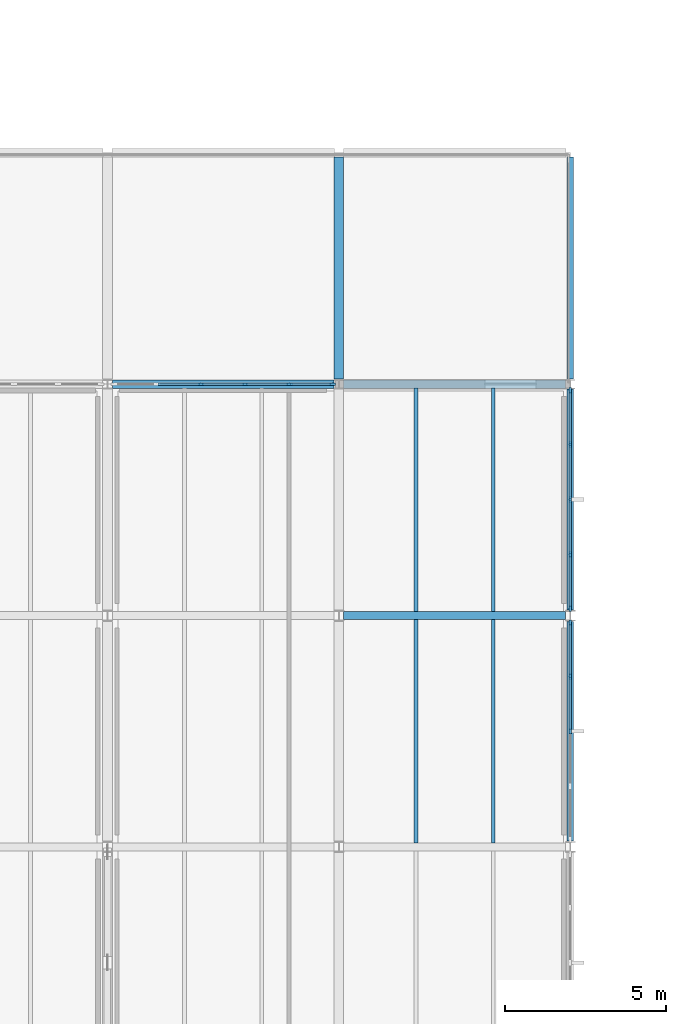
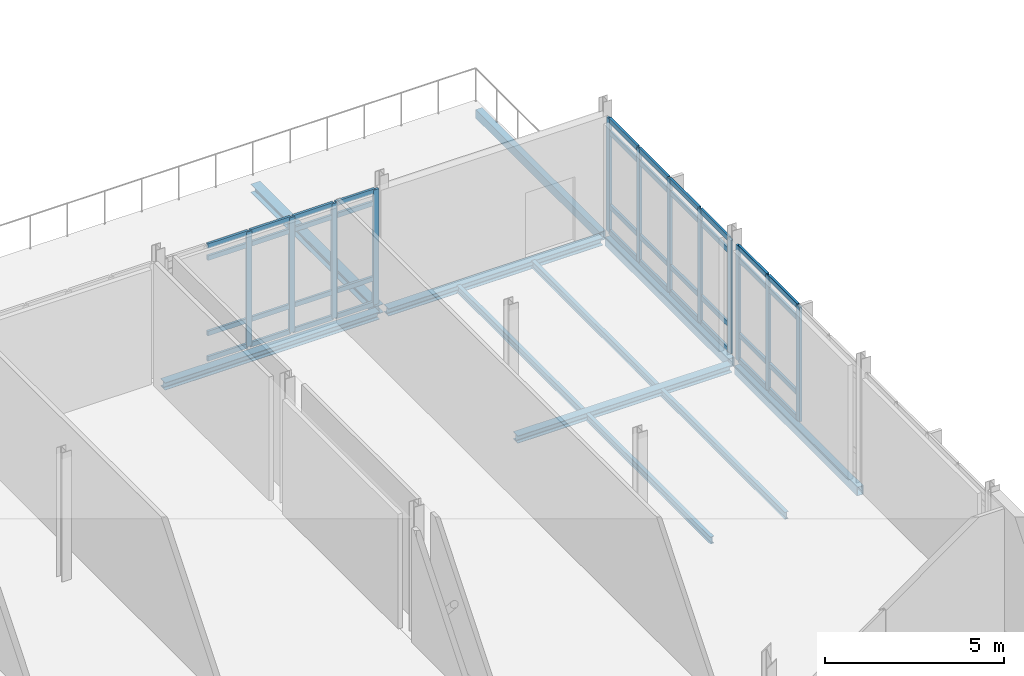
# One storey, part 6 of 21: 52 members, 11 beams, 3 elements without a shape of their own.
"""IFC4 building model written with IfcOpenShell, lengths in metres."""

from ifc_helpers import new_model, si_unit, direction, frame, origin, origin_2d, place, context, subcontext, project, spatial, rectangle, hollow_rectangle, i_section, extrude, material, layer, layer_set, material_profile, profile_set, type_object, element, aggregate, save


model = new_model("IFC4")

# Units and contexts
model_context = context("Model", 3, precision=1e-05, world=origin(), true_north=direction((0.0, 1.0)))
body_context = subcontext(model_context, "Body", "Model", "MODEL_VIEW")
ifc_project = project(units=[si_unit("LENGTHUNIT", "METRE"), si_unit("AREAUNIT", "SQUARE_METRE"), si_unit("VOLUMEUNIT", "CUBIC_METRE"), si_unit("PLANEANGLEUNIT", "RADIAN"), si_unit("MASSUNIT", "GRAM", prefix="KILO")], contexts=[model_context])

# Site, building, storey
site_placement = place(None, origin())
site = spatial("IfcSite", under=ifc_project, at=site_placement, CompositionType="ELEMENT")
building_placement = place(site_placement, origin())
building = spatial("IfcBuilding", under=site, at=building_placement, Name="Zarrinpeak Specialist Clinic", CompositionType="ELEMENT")
storey_placement = place(building_placement, frame((0.0, 0.0, 22.800048828125)))
storey = spatial("IfcBuildingStorey", under=building, at=storey_placement, Name="L05", CompositionType="ELEMENT", Elevation=22.800048828125)

# Beams
ifc_material_1 = material(Name="Steel S355", Category="steel")
ifc_material_profile_1 = material_profile(ifc_material_1, i_section(OverallWidth=0.260009765625, OverallDepth=0.25, WebThickness=0.007568359375, FlangeThickness=0.012451171875, FilletRadius=0.02392578125, at=origin_2d()), Name="HEA 260")
ifc_profile_set_1 = profile_set([ifc_material_profile_1], Name="Steel S355")
beam_type_1 = type_object("IfcBeamType", Name="BM-HEA260", PredefinedType="BEAM", material=ifc_profile_set_1)
beam_1_placement = place(storey_placement, frame((21.748046875, 36.0, -0.31005859375), z_axis=(1.0, 0.0, 0.0), x_axis=(0.0, 1.0, 0.0)))
element("IfcBeam", 1, at=beam_1_placement, inside=storey, type_object=beam_type_1, Name="L05 Primary Floor Girder BM-L05-X2056", PredefinedType="BEAM", context=body_context, shape_type="SweptSolid", body=[
    extrude(i_section(OverallWidth=0.260009765625, OverallDepth=0.25, WebThickness=0.007568359375, FlangeThickness=0.012451171875, FilletRadius=0.02392578125, at=origin_2d()), origin(), (0.0, 0.0, 1.0), 6.904052734375),
])
beam_2_placement = place(storey_placement, frame((14.548095703125, 43.199951171875, -0.344970703125), z_axis=(1.0, 0.0, 0.0), x_axis=(0.0, 1.0, 0.0)))
element("IfcBeam", 2, at=beam_2_placement, inside=storey, type_object=beam_type_1, Name="L05 Primary Floor Girder BM-L05-X2059", PredefinedType="BEAM", context=body_context, shape_type="SweptSolid", body=[
    extrude(i_section(OverallWidth=0.260009765625, OverallDepth=0.25, WebThickness=0.007568359375, FlangeThickness=0.012451171875, FilletRadius=0.02392578125, at=origin_2d()), origin(), (0.0, 0.0, 1.0), 6.90380859375),
])
beam_3_placement = place(storey_placement, frame((21.748046875, 43.199951171875, -0.344970703125), z_axis=(1.0, 0.0, 0.0), x_axis=(0.0, 1.0, 0.0)))
element("IfcBeam", 3, at=beam_3_placement, inside=storey, type_object=beam_type_1, Name="L05 Primary Floor Girder BM-L05-X2060", PredefinedType="BEAM", context=body_context, shape_type="SweptSolid", body=[
    extrude(i_section(OverallWidth=0.260009765625, OverallDepth=0.25, WebThickness=0.007568359375, FlangeThickness=0.012451171875, FilletRadius=0.02392578125, at=origin_2d()), origin(), (0.0, 0.0, 1.0), 6.904052734375),
])
ifc_material_profile_2 = material_profile(ifc_material_1, i_section(OverallWidth=0.300048828125, OverallDepth=0.2900390625, WebThickness=0.008544921875, FlangeThickness=0.013916015625, FilletRadius=0.027099609375, at=origin_2d()), Name="HEA 300")
ifc_profile_set_2 = profile_set([ifc_material_profile_2], Name="Steel S355")
beam_type_2 = type_object("IfcBeamType", Name="BM-HEA300", PredefinedType="BEAM", material=ifc_profile_set_2)
beam_4_placement = place(storey_placement, frame((21.60009765625, 43.35791015625, -0.364990234375), z_axis=(0.0, 1.0, 0.0), x_axis=(-1.0, 0.0, 0.0)))
element("IfcBeam", 4, at=beam_4_placement, inside=storey, type_object=beam_type_2, Name="L05 Primary Beam BM-L05-Y2107", PredefinedType="BEAM", context=body_context, shape_type="SweptSolid", body=[
    extrude(i_section(OverallWidth=0.300048828125, OverallDepth=0.2900390625, WebThickness=0.008544921875, FlangeThickness=0.013916015625, FilletRadius=0.027099609375, at=origin_2d()), origin(), (0.0, 0.0, 1.0), 6.904052734375),
])
ifc_material_profile_3 = material_profile(ifc_material_1, i_section(OverallWidth=0.1201171875, OverallDepth=0.239990234375, WebThickness=0.006103515625, FlangeThickness=0.009765625, FilletRadius=0.014892578125, at=origin_2d()), Name="IPE 240")
ifc_profile_set_3 = profile_set([ifc_material_profile_3], Name="Steel S355")
beam_type_3 = type_object("IfcBeamType", Name="BM-JST240", PredefinedType="JOIST", material=ifc_profile_set_3)
for number, where, z_axis, x_axis, name in (
    (5, (24.0, 28.927978515625, -0.304931640625), (0.0, 1.0, 0.0), (-1.0, 0.0, 0.0), "L05 Composite Floor Joist JST-L05-2160"),
    (6, (26.39990234375, 28.927978515625, -0.304931640625), (0.0, 1.0, 0.0), (-1.0, 0.0, 0.0), "L05 Composite Floor Joist JST-L05-2161"),
    (7, (24.0, 36.1279296875, -0.304931640625), (0.0, 1.0, 0.0), (-1.0, 0.0, 0.0), "L05 Composite Floor Joist JST-L05-2162"),
    (8, (26.39990234375, 36.1279296875, -0.304931640625), (0.0, 1.0, 0.0), (-1.0, 0.0, 0.0), "L05 Composite Floor Joist JST-L05-2163"),
):
    element("IfcBeam", number, at=place(storey_placement, frame(where, z_axis=z_axis, x_axis=x_axis)), inside=storey, type_object=beam_type_3, Name=name, PredefinedType="JOIST", context=body_context, shape_type="SweptSolid", body=[
        extrude(i_section(OverallWidth=0.1201171875, OverallDepth=0.239990234375, WebThickness=0.006103515625, FlangeThickness=0.009765625, FilletRadius=0.014892578125, at=origin_2d()), origin(), (0.0, 0.0, 1.0), 6.944091796875),
    ])
ifc_material_profile_4 = material_profile(ifc_material_1, hollow_rectangle(XDim=0.199951171875, YDim=0.300048828125, WallThickness=0.012451171875, at=origin_2d()), Name="RHS 300x200x12.5")
ifc_profile_set_4 = profile_set([ifc_material_profile_4], Name="Steel S355")
beam_type_4 = type_object("IfcBeamType", Name="BM-SP300", PredefinedType="SPANDREL", material=ifc_profile_set_4)
beam_5_placement = place(storey_placement, frame((28.800048828125, 28.97802734375, -0.3349609375), z_axis=(0.0, 1.0, 0.0), x_axis=(-1.0, 0.0, 0.0)))
element("IfcBeam", 9, at=beam_5_placement, inside=storey, type_object=beam_type_4, Name="L05 Perimeter Spandrel Beam BM-L05-Y2109", PredefinedType="SPANDREL", context=body_context, shape_type="SweptSolid", body=[
    extrude(hollow_rectangle(XDim=0.199951171875, YDim=0.300048828125, WallThickness=0.012451171875, at=origin_2d()), origin(), (0.0, 0.0, 1.0), 6.843994140625),
])
beam_6_placement = place(storey_placement, frame((28.800048828125, 36.177978515625, -0.3349609375), z_axis=(0.0, 1.0, 0.0), x_axis=(-1.0, 0.0, 0.0)))
element("IfcBeam", 10, at=beam_6_placement, inside=storey, type_object=beam_type_4, Name="L05 Perimeter Spandrel Beam BM-L05-Y2110", PredefinedType="SPANDREL", context=body_context, shape_type="SweptSolid", body=[
    extrude(hollow_rectangle(XDim=0.199951171875, YDim=0.300048828125, WallThickness=0.012451171875, at=origin_2d()), origin(), (0.0, 0.0, 1.0), 6.864013671875),
])
beam_7_placement = place(storey_placement, frame((28.800048828125, 43.35791015625, -0.3701171875), z_axis=(0.0, 1.0, 0.0), x_axis=(-1.0, 0.0, 0.0)))
element("IfcBeam", 11, at=beam_7_placement, inside=storey, type_object=beam_type_4, Name="L05 Perimeter Spandrel Beam BM-L05-Y2111", PredefinedType="SPANDREL", context=body_context, shape_type="SweptSolid", body=[
    extrude(hollow_rectangle(XDim=0.199951171875, YDim=0.300048828125, WallThickness=0.012451171875, at=origin_2d()), origin(), (0.0, 0.0, 1.0), 6.904052734375),
])

# Curtain wall, members
ifc_material_2 = material(Name="Anodised Aluminium Alloy 6063-T6", Category="aluminium")
ifc_layer_1 = layer(ifc_material_2, 0.1650390625)
ifc_layer_set_1 = layer_set([ifc_layer_1], Name="Anodised Aluminium Alloy 6063-T6")
curtain_wall_type_1 = type_object("IfcCurtainWallType", Name="CW-CLINIC", PredefinedType="NOTDEFINED", material=ifc_layer_set_1)
curtain_wall_1_placement = place(storey_placement, origin())
curtain_wall_1 = element("IfcCurtainWall", 12, at=curtain_wall_1_placement, inside=storey, type_object=curtain_wall_type_1, Name="L05 V1 Unitised Curtain Wall CW-L05-V1-032", PredefinedType="NOTDEFINED")
ifc_material_profile_5 = material_profile(ifc_material_2, rectangle(XDim=0.074951171875, YDim=0.179931640625, at=origin_2d()), Name="ALU 75x180")
ifc_profile_set_5 = profile_set([ifc_material_profile_5], Name="Anodised Aluminium Alloy 6063-T6")
member_type_1 = type_object("IfcMemberType", Name="CWM-75", PredefinedType="MULLION", material=ifc_profile_set_5)
member_1_placement = place(storey_placement, frame((21.3974609375, 43.199951171875, 0.0), z_axis=(0.0, 0.0, 1.0), x_axis=(0.0, -1.0, 0.0)))
member_1 = element("IfcMember", 13, at=member_1_placement, type_object=member_type_1, Name="CW-03 mullion 1", PredefinedType="MULLION", context=body_context, shape_type="SweptSolid", body=[
    extrude(rectangle(XDim=0.074951171875, YDim=0.179931640625, at=origin_2d()), origin(), (0.0, 0.0, 1.0), 3.9150390625),
])
member_2_placement = place(storey_placement, frame((20.06103515625, 43.199951171875, 0.0), z_axis=(0.0, 0.0, 1.0), x_axis=(0.0, -1.0, 0.0)))
member_2 = element("IfcMember", 14, at=member_2_placement, type_object=member_type_1, Name="CW-03 mullion 2", PredefinedType="MULLION", context=body_context, shape_type="SweptSolid", body=[
    extrude(rectangle(XDim=0.074951171875, YDim=0.179931640625, at=origin_2d()), origin(), (0.0, 0.0, 1.0), 3.9150390625),
])
member_3_placement = place(storey_placement, frame((18.68701171875, 43.199951171875, 0.0), z_axis=(0.0, 0.0, 1.0), x_axis=(0.0, -1.0, 0.0)))
member_3 = element("IfcMember", 15, at=member_3_placement, type_object=member_type_1, Name="CW-03 mullion 3", PredefinedType="MULLION", context=body_context, shape_type="SweptSolid", body=[
    extrude(rectangle(XDim=0.074951171875, YDim=0.179931640625, at=origin_2d()), origin(), (0.0, 0.0, 1.0), 3.9150390625),
])
member_4_placement = place(storey_placement, frame((17.31298828125, 43.199951171875, 0.0), z_axis=(0.0, 0.0, 1.0), x_axis=(0.0, -1.0, 0.0)))
member_4 = element("IfcMember", 16, at=member_4_placement, type_object=member_type_1, Name="CW-03 mullion 4", PredefinedType="MULLION", context=body_context, shape_type="SweptSolid", body=[
    extrude(rectangle(XDim=0.074951171875, YDim=0.179931640625, at=origin_2d()), origin(), (0.0, 0.0, 1.0), 3.9150390625),
])

ifc_layer_2 = layer(ifc_material_2, 0.179931640625)
ifc_layer_set_2 = layer_set([ifc_layer_2], Name="Anodised Aluminium Alloy 6063-T6")
curtain_wall_type_2 = type_object("IfcCurtainWallType", Name="CW-COURT", PredefinedType="NOTDEFINED", material=ifc_layer_set_2)
curtain_wall_2_placement = place(storey_placement, origin())
curtain_wall_2 = element("IfcCurtainWall", 17, at=curtain_wall_2_placement, inside=storey, type_object=curtain_wall_type_2, Name="L05 V1 Unitised Curtain Wall CW-L05-V1-034", PredefinedType="NOTDEFINED")
member_5_placement = place(storey_placement, frame((28.800048828125, 32.39990234375, 0.0), z_axis=(0.0, 0.0, 1.0), x_axis=(-1.0, 0.0, 0.0)))
member_5 = element("IfcMember", 18, at=member_5_placement, type_object=member_type_1, Name="CW-01 mullion 3", PredefinedType="MULLION", context=body_context, shape_type="SweptSolid", body=[
    extrude(rectangle(XDim=0.074951171875, YDim=0.179931640625, at=origin_2d()), origin(), (0.0, 0.0, 1.0), 3.89990234375),
])
member_6_placement = place(storey_placement, frame((28.800048828125, 34.107421875, 0.0), z_axis=(0.0, 0.0, 1.0), x_axis=(-1.0, 0.0, 0.0)))
member_6 = element("IfcMember", 19, at=member_6_placement, type_object=member_type_1, Name="CW-01 mullion 4", PredefinedType="MULLION", context=body_context, shape_type="SweptSolid", body=[
    extrude(rectangle(XDim=0.074951171875, YDim=0.179931640625, at=origin_2d()), origin(), (0.0, 0.0, 1.0), 3.89990234375),
])
member_7_placement = place(storey_placement, frame((28.800048828125, 35.777587890625, 0.0), z_axis=(0.0, 0.0, 1.0), x_axis=(-1.0, 0.0, 0.0)))
member_7 = element("IfcMember", 20, at=member_7_placement, type_object=member_type_1, Name="CW-01 mullion 5", PredefinedType="MULLION", context=body_context, shape_type="SweptSolid", body=[
    extrude(rectangle(XDim=0.074951171875, YDim=0.179931640625, at=origin_2d()), origin(), (0.0, 0.0, 1.0), 3.89990234375),
])

curtain_wall_3_placement = place(storey_placement, origin())
curtain_wall_3 = element("IfcCurtainWall", 21, at=curtain_wall_3_placement, inside=storey, type_object=curtain_wall_type_2, Name="L05 V1 Unitised Curtain Wall CW-L05-V1-035", PredefinedType="NOTDEFINED")
member_8_placement = place(storey_placement, frame((28.800048828125, 36.222412109375, 0.0), z_axis=(0.0, 0.0, 1.0), x_axis=(-1.0, 0.0, 0.0)))
member_8 = element("IfcMember", 22, at=member_8_placement, type_object=member_type_1, Name="CW-01 mullion 1", PredefinedType="MULLION", context=body_context, shape_type="SweptSolid", body=[
    extrude(rectangle(XDim=0.074951171875, YDim=0.179931640625, at=origin_2d()), origin(), (0.0, 0.0, 1.0), 3.864990234375),
])
member_9_placement = place(storey_placement, frame((28.800048828125, 37.8974609375, 0.0), z_axis=(0.0, 0.0, 1.0), x_axis=(-1.0, 0.0, 0.0)))
member_9 = element("IfcMember", 23, at=member_9_placement, type_object=member_type_1, Name="CW-01 mullion 2", PredefinedType="MULLION", context=body_context, shape_type="SweptSolid", body=[
    extrude(rectangle(XDim=0.074951171875, YDim=0.179931640625, at=origin_2d()), origin(), (0.0, 0.0, 1.0), 3.864990234375),
])
member_10_placement = place(storey_placement, frame((28.800048828125, 39.610107421875, 0.0), z_axis=(0.0, 0.0, 1.0), x_axis=(-1.0, 0.0, 0.0)))
member_10 = element("IfcMember", 24, at=member_10_placement, type_object=member_type_1, Name="CW-01 mullion 3", PredefinedType="MULLION", context=body_context, shape_type="SweptSolid", body=[
    extrude(rectangle(XDim=0.074951171875, YDim=0.179931640625, at=origin_2d()), origin(), (0.0, 0.0, 1.0), 3.864990234375),
])
member_11_placement = place(storey_placement, frame((28.800048828125, 41.322509765625, 0.0), z_axis=(0.0, 0.0, 1.0), x_axis=(-1.0, 0.0, 0.0)))
member_11 = element("IfcMember", 25, at=member_11_placement, type_object=member_type_1, Name="CW-01 mullion 4", PredefinedType="MULLION", context=body_context, shape_type="SweptSolid", body=[
    extrude(rectangle(XDim=0.074951171875, YDim=0.179931640625, at=origin_2d()), origin(), (0.0, 0.0, 1.0), 3.864990234375),
])
member_12_placement = place(storey_placement, frame((28.800048828125, 42.99755859375, 0.0), z_axis=(0.0, 0.0, 1.0), x_axis=(-1.0, 0.0, 0.0)))
member_12 = element("IfcMember", 26, at=member_12_placement, type_object=member_type_1, Name="CW-01 mullion 5", PredefinedType="MULLION", context=body_context, shape_type="SweptSolid", body=[
    extrude(rectangle(XDim=0.074951171875, YDim=0.179931640625, at=origin_2d()), origin(), (0.0, 0.0, 1.0), 3.864990234375),
])

# Member
ifc_material_profile_6 = material_profile(ifc_material_2, rectangle(XDim=0.074951171875, YDim=0.159912109375, at=origin_2d()), Name="ALU 75x160")
ifc_profile_set_6 = profile_set([ifc_material_profile_6], Name="Anodised Aluminium Alloy 6063-T6")
member_type_2 = type_object("IfcMemberType", Name="CWT-75", PredefinedType="USERDEFINED", material=ifc_profile_set_6)
member_13_placement = place(storey_placement, frame((21.360107421875, 43.199951171875, 0.037353515625), z_axis=(-1.0, 0.0, 0.0), x_axis=(0.0, -1.0, 0.0)))
member_13 = element("IfcMember", 27, at=member_13_placement, type_object=member_type_2, Name="CW-03 transom 1.1", ObjectType="TRANSOM", PredefinedType="USERDEFINED", context=body_context, shape_type="SweptSolid", body=[
    extrude(rectangle(XDim=0.074951171875, YDim=0.159912109375, at=origin_2d()), origin(), (0.0, 0.0, 1.0), 1.26171875),
])

member_14_placement = place(storey_placement, frame((21.360107421875, 43.199951171875, 0.89990234375), z_axis=(-1.0, 0.0, 0.0), x_axis=(0.0, -1.0, 0.0)))
member_14 = element("IfcMember", 28, at=member_14_placement, type_object=member_type_2, Name="CW-03 transom 1.2", ObjectType="TRANSOM", PredefinedType="USERDEFINED", context=body_context, shape_type="SweptSolid", body=[
    extrude(rectangle(XDim=0.074951171875, YDim=0.159912109375, at=origin_2d()), origin(), (0.0, 0.0, 1.0), 1.26171875),
])

member_15_placement = place(storey_placement, frame((21.360107421875, 43.199951171875, 3.46484375), z_axis=(-1.0, 0.0, 0.0), x_axis=(0.0, -1.0, 0.0)))
member_15 = element("IfcMember", 29, at=member_15_placement, type_object=member_type_2, Name="CW-03 transom 1.3", ObjectType="TRANSOM", PredefinedType="USERDEFINED", context=body_context, shape_type="SweptSolid", body=[
    extrude(rectangle(XDim=0.074951171875, YDim=0.159912109375, at=origin_2d()), origin(), (0.0, 0.0, 1.0), 1.26171875),
])

member_16_placement = place(storey_placement, frame((21.360107421875, 43.199951171875, 3.87744140625), z_axis=(-1.0, 0.0, 0.0), x_axis=(0.0, -1.0, 0.0)))
member_16 = element("IfcMember", 30, at=member_16_placement, type_object=member_type_2, Name="CW-03 transom 1.4", ObjectType="TRANSOM", PredefinedType="USERDEFINED", context=body_context, shape_type="SweptSolid", body=[
    extrude(rectangle(XDim=0.074951171875, YDim=0.159912109375, at=origin_2d()), origin(), (0.0, 0.0, 1.0), 1.26171875),
])

member_17_placement = place(storey_placement, frame((20.0234375, 43.199951171875, 0.037353515625), z_axis=(-1.0, 0.0, 0.0), x_axis=(0.0, -1.0, 0.0)))
member_17 = element("IfcMember", 31, at=member_17_placement, type_object=member_type_2, Name="CW-03 transom 2.1", ObjectType="TRANSOM", PredefinedType="USERDEFINED", context=body_context, shape_type="SweptSolid", body=[
    extrude(rectangle(XDim=0.074951171875, YDim=0.159912109375, at=origin_2d()), origin(), (0.0, 0.0, 1.0), 1.298828125),
])

member_18_placement = place(storey_placement, frame((20.0234375, 43.199951171875, 0.89990234375), z_axis=(-1.0, 0.0, 0.0), x_axis=(0.0, -1.0, 0.0)))
member_18 = element("IfcMember", 32, at=member_18_placement, type_object=member_type_2, Name="CW-03 transom 2.2", ObjectType="TRANSOM", PredefinedType="USERDEFINED", context=body_context, shape_type="SweptSolid", body=[
    extrude(rectangle(XDim=0.074951171875, YDim=0.159912109375, at=origin_2d()), origin(), (0.0, 0.0, 1.0), 1.298828125),
])

member_19_placement = place(storey_placement, frame((20.0234375, 43.199951171875, 3.46484375), z_axis=(-1.0, 0.0, 0.0), x_axis=(0.0, -1.0, 0.0)))
member_19 = element("IfcMember", 33, at=member_19_placement, type_object=member_type_2, Name="CW-03 transom 2.3", ObjectType="TRANSOM", PredefinedType="USERDEFINED", context=body_context, shape_type="SweptSolid", body=[
    extrude(rectangle(XDim=0.074951171875, YDim=0.159912109375, at=origin_2d()), origin(), (0.0, 0.0, 1.0), 1.298828125),
])

member_20_placement = place(storey_placement, frame((20.0234375, 43.199951171875, 3.87744140625), z_axis=(-1.0, 0.0, 0.0), x_axis=(0.0, -1.0, 0.0)))
member_20 = element("IfcMember", 34, at=member_20_placement, type_object=member_type_2, Name="CW-03 transom 2.4", ObjectType="TRANSOM", PredefinedType="USERDEFINED", context=body_context, shape_type="SweptSolid", body=[
    extrude(rectangle(XDim=0.074951171875, YDim=0.159912109375, at=origin_2d()), origin(), (0.0, 0.0, 1.0), 1.298828125),
])

member_21_placement = place(storey_placement, frame((18.6494140625, 43.199951171875, 0.037353515625), z_axis=(-1.0, 0.0, 0.0), x_axis=(0.0, -1.0, 0.0)))
member_21 = element("IfcMember", 35, at=member_21_placement, type_object=member_type_2, Name="CW-03 transom 3.1", ObjectType="TRANSOM", PredefinedType="USERDEFINED", context=body_context, shape_type="SweptSolid", body=[
    extrude(rectangle(XDim=0.074951171875, YDim=0.159912109375, at=origin_2d()), origin(), (0.0, 0.0, 1.0), 1.298828125),
])

member_22_placement = place(storey_placement, frame((18.6494140625, 43.199951171875, 0.89990234375), z_axis=(-1.0, 0.0, 0.0), x_axis=(0.0, -1.0, 0.0)))
member_22 = element("IfcMember", 36, at=member_22_placement, type_object=member_type_2, Name="CW-03 transom 3.2", ObjectType="TRANSOM", PredefinedType="USERDEFINED", context=body_context, shape_type="SweptSolid", body=[
    extrude(rectangle(XDim=0.074951171875, YDim=0.159912109375, at=origin_2d()), origin(), (0.0, 0.0, 1.0), 1.298828125),
])

member_23_placement = place(storey_placement, frame((18.6494140625, 43.199951171875, 3.46484375), z_axis=(-1.0, 0.0, 0.0), x_axis=(0.0, -1.0, 0.0)))
member_23 = element("IfcMember", 37, at=member_23_placement, type_object=member_type_2, Name="CW-03 transom 3.3", ObjectType="TRANSOM", PredefinedType="USERDEFINED", context=body_context, shape_type="SweptSolid", body=[
    extrude(rectangle(XDim=0.074951171875, YDim=0.159912109375, at=origin_2d()), origin(), (0.0, 0.0, 1.0), 1.298828125),
])

member_24_placement = place(storey_placement, frame((18.6494140625, 43.199951171875, 3.87744140625), z_axis=(-1.0, 0.0, 0.0), x_axis=(0.0, -1.0, 0.0)))
member_24 = element("IfcMember", 38, at=member_24_placement, type_object=member_type_2, Name="CW-03 transom 3.4", ObjectType="TRANSOM", PredefinedType="USERDEFINED", context=body_context, shape_type="SweptSolid", body=[
    extrude(rectangle(XDim=0.074951171875, YDim=0.159912109375, at=origin_2d()), origin(), (0.0, 0.0, 1.0), 1.298828125),
])

member_25_placement = place(storey_placement, frame((17.275390625, 43.199951171875, 0.037353515625), z_axis=(-1.0, 0.0, 0.0), x_axis=(0.0, -1.0, 0.0)))
member_25 = element("IfcMember", 39, at=member_25_placement, type_object=member_type_2, Name="CW-03 transom 4.1", ObjectType="TRANSOM", PredefinedType="USERDEFINED", context=body_context, shape_type="SweptSolid", body=[
    extrude(rectangle(XDim=0.074951171875, YDim=0.159912109375, at=origin_2d()), origin(), (0.0, 0.0, 1.0), 1.298828125),
])

member_26_placement = place(storey_placement, frame((17.275390625, 43.199951171875, 0.89990234375), z_axis=(-1.0, 0.0, 0.0), x_axis=(0.0, -1.0, 0.0)))
member_26 = element("IfcMember", 40, at=member_26_placement, type_object=member_type_2, Name="CW-03 transom 4.2", ObjectType="TRANSOM", PredefinedType="USERDEFINED", context=body_context, shape_type="SweptSolid", body=[
    extrude(rectangle(XDim=0.074951171875, YDim=0.159912109375, at=origin_2d()), origin(), (0.0, 0.0, 1.0), 1.298828125),
])

member_27_placement = place(storey_placement, frame((17.275390625, 43.199951171875, 3.46484375), z_axis=(-1.0, 0.0, 0.0), x_axis=(0.0, -1.0, 0.0)))
member_27 = element("IfcMember", 41, at=member_27_placement, type_object=member_type_2, Name="CW-03 transom 4.3", ObjectType="TRANSOM", PredefinedType="USERDEFINED", context=body_context, shape_type="SweptSolid", body=[
    extrude(rectangle(XDim=0.074951171875, YDim=0.159912109375, at=origin_2d()), origin(), (0.0, 0.0, 1.0), 1.298828125),
])

member_28_placement = place(storey_placement, frame((17.275390625, 43.199951171875, 3.87744140625), z_axis=(-1.0, 0.0, 0.0), x_axis=(0.0, -1.0, 0.0)))
member_28 = element("IfcMember", 42, at=member_28_placement, type_object=member_type_2, Name="CW-03 transom 4.4", ObjectType="TRANSOM", PredefinedType="USERDEFINED", context=body_context, shape_type="SweptSolid", body=[
    extrude(rectangle(XDim=0.074951171875, YDim=0.159912109375, at=origin_2d()), origin(), (0.0, 0.0, 1.0), 1.298828125),
])

aggregate(curtain_wall_1, [member_1, member_2, member_3, member_4, member_13, member_14, member_15, member_16, member_17, member_18, member_19, member_20, member_21, member_22, member_23, member_24, member_25, member_26, member_27, member_28])

member_29_placement = place(storey_placement, frame((28.800048828125, 32.4375, 0.037353515625), z_axis=(0.0, 1.0, 0.0), x_axis=(-1.0, 0.0, 0.0)))
member_29 = element("IfcMember", 43, at=member_29_placement, type_object=member_type_2, Name="CW-01 transom 3.1", ObjectType="TRANSOM", PredefinedType="USERDEFINED", context=body_context, shape_type="SweptSolid", body=[
    extrude(rectangle(XDim=0.074951171875, YDim=0.159912109375, at=origin_2d()), origin(), (0.0, 0.0, 1.0), 1.632568359375),
])

member_30_placement = place(storey_placement, frame((28.800048828125, 32.4375, 0.89990234375), z_axis=(0.0, 1.0, 0.0), x_axis=(-1.0, 0.0, 0.0)))
member_30 = element("IfcMember", 44, at=member_30_placement, type_object=member_type_2, Name="CW-01 transom 3.2", ObjectType="TRANSOM", PredefinedType="USERDEFINED", context=body_context, shape_type="SweptSolid", body=[
    extrude(rectangle(XDim=0.074951171875, YDim=0.159912109375, at=origin_2d()), origin(), (0.0, 0.0, 1.0), 1.632568359375),
])

member_31_placement = place(storey_placement, frame((28.800048828125, 32.4375, 3.449951171875), z_axis=(0.0, 1.0, 0.0), x_axis=(-1.0, 0.0, 0.0)))
member_31 = element("IfcMember", 45, at=member_31_placement, type_object=member_type_2, Name="CW-01 transom 3.3", ObjectType="TRANSOM", PredefinedType="USERDEFINED", context=body_context, shape_type="SweptSolid", body=[
    extrude(rectangle(XDim=0.074951171875, YDim=0.159912109375, at=origin_2d()), origin(), (0.0, 0.0, 1.0), 1.632568359375),
])

member_32_placement = place(storey_placement, frame((28.800048828125, 32.4375, 3.862548828125), z_axis=(0.0, 1.0, 0.0), x_axis=(-1.0, 0.0, 0.0)))
member_32 = element("IfcMember", 46, at=member_32_placement, type_object=member_type_2, Name="CW-01 transom 3.4", ObjectType="TRANSOM", PredefinedType="USERDEFINED", context=body_context, shape_type="SweptSolid", body=[
    extrude(rectangle(XDim=0.074951171875, YDim=0.159912109375, at=origin_2d()), origin(), (0.0, 0.0, 1.0), 1.632568359375),
])

member_33_placement = place(storey_placement, frame((28.800048828125, 34.14501953125, 0.037353515625), z_axis=(0.0, 1.0, 0.0), x_axis=(-1.0, 0.0, 0.0)))
member_33 = element("IfcMember", 47, at=member_33_placement, type_object=member_type_2, Name="CW-01 transom 4.1", ObjectType="TRANSOM", PredefinedType="USERDEFINED", context=body_context, shape_type="SweptSolid", body=[
    extrude(rectangle(XDim=0.074951171875, YDim=0.159912109375, at=origin_2d()), origin(), (0.0, 0.0, 1.0), 1.594970703125),
])

member_34_placement = place(storey_placement, frame((28.800048828125, 34.14501953125, 0.89990234375), z_axis=(0.0, 1.0, 0.0), x_axis=(-1.0, 0.0, 0.0)))
member_34 = element("IfcMember", 48, at=member_34_placement, type_object=member_type_2, Name="CW-01 transom 4.2", ObjectType="TRANSOM", PredefinedType="USERDEFINED", context=body_context, shape_type="SweptSolid", body=[
    extrude(rectangle(XDim=0.074951171875, YDim=0.159912109375, at=origin_2d()), origin(), (0.0, 0.0, 1.0), 1.594970703125),
])

member_35_placement = place(storey_placement, frame((28.800048828125, 34.14501953125, 3.449951171875), z_axis=(0.0, 1.0, 0.0), x_axis=(-1.0, 0.0, 0.0)))
member_35 = element("IfcMember", 49, at=member_35_placement, type_object=member_type_2, Name="CW-01 transom 4.3", ObjectType="TRANSOM", PredefinedType="USERDEFINED", context=body_context, shape_type="SweptSolid", body=[
    extrude(rectangle(XDim=0.074951171875, YDim=0.159912109375, at=origin_2d()), origin(), (0.0, 0.0, 1.0), 1.594970703125),
])

member_36_placement = place(storey_placement, frame((28.800048828125, 34.14501953125, 3.862548828125), z_axis=(0.0, 1.0, 0.0), x_axis=(-1.0, 0.0, 0.0)))
member_36 = element("IfcMember", 50, at=member_36_placement, type_object=member_type_2, Name="CW-01 transom 4.4", ObjectType="TRANSOM", PredefinedType="USERDEFINED", context=body_context, shape_type="SweptSolid", body=[
    extrude(rectangle(XDim=0.074951171875, YDim=0.159912109375, at=origin_2d()), origin(), (0.0, 0.0, 1.0), 1.594970703125),
])

aggregate(curtain_wall_2, [member_5, member_6, member_7, member_29, member_30, member_31, member_32, member_33, member_34, member_35, member_36])

member_37_placement = place(storey_placement, frame((28.800048828125, 36.260009765625, 0.037353515625), z_axis=(0.0, 1.0, 0.0), x_axis=(-1.0, 0.0, 0.0)))
member_37 = element("IfcMember", 51, at=member_37_placement, type_object=member_type_2, Name="CW-01 transom 1.1", ObjectType="TRANSOM", PredefinedType="USERDEFINED", context=body_context, shape_type="SweptSolid", body=[
    extrude(rectangle(XDim=0.074951171875, YDim=0.159912109375, at=origin_2d()), origin(), (0.0, 0.0, 1.0), 1.60009765625),
])

member_38_placement = place(storey_placement, frame((28.800048828125, 36.260009765625, 0.89990234375), z_axis=(0.0, 1.0, 0.0), x_axis=(-1.0, 0.0, 0.0)))
member_38 = element("IfcMember", 52, at=member_38_placement, type_object=member_type_2, Name="CW-01 transom 1.2", ObjectType="TRANSOM", PredefinedType="USERDEFINED", context=body_context, shape_type="SweptSolid", body=[
    extrude(rectangle(XDim=0.074951171875, YDim=0.159912109375, at=origin_2d()), origin(), (0.0, 0.0, 1.0), 1.60009765625),
])

member_39_placement = place(storey_placement, frame((28.800048828125, 36.260009765625, 3.4150390625), z_axis=(0.0, 1.0, 0.0), x_axis=(-1.0, 0.0, 0.0)))
member_39 = element("IfcMember", 53, at=member_39_placement, type_object=member_type_2, Name="CW-01 transom 1.3", ObjectType="TRANSOM", PredefinedType="USERDEFINED", context=body_context, shape_type="SweptSolid", body=[
    extrude(rectangle(XDim=0.074951171875, YDim=0.159912109375, at=origin_2d()), origin(), (0.0, 0.0, 1.0), 1.60009765625),
])

member_40_placement = place(storey_placement, frame((28.800048828125, 36.260009765625, 3.827392578125), z_axis=(0.0, 1.0, 0.0), x_axis=(-1.0, 0.0, 0.0)))
member_40 = element("IfcMember", 54, at=member_40_placement, type_object=member_type_2, Name="CW-01 transom 1.4", ObjectType="TRANSOM", PredefinedType="USERDEFINED", context=body_context, shape_type="SweptSolid", body=[
    extrude(rectangle(XDim=0.074951171875, YDim=0.159912109375, at=origin_2d()), origin(), (0.0, 0.0, 1.0), 1.60009765625),
])

member_41_placement = place(storey_placement, frame((28.800048828125, 37.93505859375, 0.037353515625), z_axis=(0.0, 1.0, 0.0), x_axis=(-1.0, 0.0, 0.0)))
member_41 = element("IfcMember", 55, at=member_41_placement, type_object=member_type_2, Name="CW-01 transom 2.1", ObjectType="TRANSOM", PredefinedType="USERDEFINED", context=body_context, shape_type="SweptSolid", body=[
    extrude(rectangle(XDim=0.074951171875, YDim=0.159912109375, at=origin_2d()), origin(), (0.0, 0.0, 1.0), 1.637451171875),
])

member_42_placement = place(storey_placement, frame((28.800048828125, 37.93505859375, 0.89990234375), z_axis=(0.0, 1.0, 0.0), x_axis=(-1.0, 0.0, 0.0)))
member_42 = element("IfcMember", 56, at=member_42_placement, type_object=member_type_2, Name="CW-01 transom 2.2", ObjectType="TRANSOM", PredefinedType="USERDEFINED", context=body_context, shape_type="SweptSolid", body=[
    extrude(rectangle(XDim=0.074951171875, YDim=0.159912109375, at=origin_2d()), origin(), (0.0, 0.0, 1.0), 1.637451171875),
])

member_43_placement = place(storey_placement, frame((28.800048828125, 37.93505859375, 3.4150390625), z_axis=(0.0, 1.0, 0.0), x_axis=(-1.0, 0.0, 0.0)))
member_43 = element("IfcMember", 57, at=member_43_placement, type_object=member_type_2, Name="CW-01 transom 2.3", ObjectType="TRANSOM", PredefinedType="USERDEFINED", context=body_context, shape_type="SweptSolid", body=[
    extrude(rectangle(XDim=0.074951171875, YDim=0.159912109375, at=origin_2d()), origin(), (0.0, 0.0, 1.0), 1.637451171875),
])

member_44_placement = place(storey_placement, frame((28.800048828125, 37.93505859375, 3.827392578125), z_axis=(0.0, 1.0, 0.0), x_axis=(-1.0, 0.0, 0.0)))
member_44 = element("IfcMember", 58, at=member_44_placement, type_object=member_type_2, Name="CW-01 transom 2.4", ObjectType="TRANSOM", PredefinedType="USERDEFINED", context=body_context, shape_type="SweptSolid", body=[
    extrude(rectangle(XDim=0.074951171875, YDim=0.159912109375, at=origin_2d()), origin(), (0.0, 0.0, 1.0), 1.637451171875),
])

member_45_placement = place(storey_placement, frame((28.800048828125, 39.6474609375, 0.037353515625), z_axis=(0.0, 1.0, 0.0), x_axis=(-1.0, 0.0, 0.0)))
member_45 = element("IfcMember", 59, at=member_45_placement, type_object=member_type_2, Name="CW-01 transom 3.1", ObjectType="TRANSOM", PredefinedType="USERDEFINED", context=body_context, shape_type="SweptSolid", body=[
    extrude(rectangle(XDim=0.074951171875, YDim=0.159912109375, at=origin_2d()), origin(), (0.0, 0.0, 1.0), 1.637451171875),
])

member_46_placement = place(storey_placement, frame((28.800048828125, 39.6474609375, 0.89990234375), z_axis=(0.0, 1.0, 0.0), x_axis=(-1.0, 0.0, 0.0)))
member_46 = element("IfcMember", 60, at=member_46_placement, type_object=member_type_2, Name="CW-01 transom 3.2", ObjectType="TRANSOM", PredefinedType="USERDEFINED", context=body_context, shape_type="SweptSolid", body=[
    extrude(rectangle(XDim=0.074951171875, YDim=0.159912109375, at=origin_2d()), origin(), (0.0, 0.0, 1.0), 1.637451171875),
])

member_47_placement = place(storey_placement, frame((28.800048828125, 39.6474609375, 3.4150390625), z_axis=(0.0, 1.0, 0.0), x_axis=(-1.0, 0.0, 0.0)))
member_47 = element("IfcMember", 61, at=member_47_placement, type_object=member_type_2, Name="CW-01 transom 3.3", ObjectType="TRANSOM", PredefinedType="USERDEFINED", context=body_context, shape_type="SweptSolid", body=[
    extrude(rectangle(XDim=0.074951171875, YDim=0.159912109375, at=origin_2d()), origin(), (0.0, 0.0, 1.0), 1.637451171875),
])

member_48_placement = place(storey_placement, frame((28.800048828125, 39.6474609375, 3.827392578125), z_axis=(0.0, 1.0, 0.0), x_axis=(-1.0, 0.0, 0.0)))
member_48 = element("IfcMember", 62, at=member_48_placement, type_object=member_type_2, Name="CW-01 transom 3.4", ObjectType="TRANSOM", PredefinedType="USERDEFINED", context=body_context, shape_type="SweptSolid", body=[
    extrude(rectangle(XDim=0.074951171875, YDim=0.159912109375, at=origin_2d()), origin(), (0.0, 0.0, 1.0), 1.637451171875),
])

member_49_placement = place(storey_placement, frame((28.800048828125, 41.360107421875, 0.037353515625), z_axis=(0.0, 1.0, 0.0), x_axis=(-1.0, 0.0, 0.0)))
member_49 = element("IfcMember", 63, at=member_49_placement, type_object=member_type_2, Name="CW-01 transom 4.1", ObjectType="TRANSOM", PredefinedType="USERDEFINED", context=body_context, shape_type="SweptSolid", body=[
    extrude(rectangle(XDim=0.074951171875, YDim=0.159912109375, at=origin_2d()), origin(), (0.0, 0.0, 1.0), 1.599853515625),
])

member_50_placement = place(storey_placement, frame((28.800048828125, 41.360107421875, 0.89990234375), z_axis=(0.0, 1.0, 0.0), x_axis=(-1.0, 0.0, 0.0)))
member_50 = element("IfcMember", 64, at=member_50_placement, type_object=member_type_2, Name="CW-01 transom 4.2", ObjectType="TRANSOM", PredefinedType="USERDEFINED", context=body_context, shape_type="SweptSolid", body=[
    extrude(rectangle(XDim=0.074951171875, YDim=0.159912109375, at=origin_2d()), origin(), (0.0, 0.0, 1.0), 1.599853515625),
])

member_51_placement = place(storey_placement, frame((28.800048828125, 41.360107421875, 3.4150390625), z_axis=(0.0, 1.0, 0.0), x_axis=(-1.0, 0.0, 0.0)))
member_51 = element("IfcMember", 65, at=member_51_placement, type_object=member_type_2, Name="CW-01 transom 4.3", ObjectType="TRANSOM", PredefinedType="USERDEFINED", context=body_context, shape_type="SweptSolid", body=[
    extrude(rectangle(XDim=0.074951171875, YDim=0.159912109375, at=origin_2d()), origin(), (0.0, 0.0, 1.0), 1.599853515625),
])

member_52_placement = place(storey_placement, frame((28.800048828125, 41.360107421875, 3.827392578125), z_axis=(0.0, 1.0, 0.0), x_axis=(-1.0, 0.0, 0.0)))
member_52 = element("IfcMember", 66, at=member_52_placement, type_object=member_type_2, Name="CW-01 transom 4.4", ObjectType="TRANSOM", PredefinedType="USERDEFINED", context=body_context, shape_type="SweptSolid", body=[
    extrude(rectangle(XDim=0.074951171875, YDim=0.159912109375, at=origin_2d()), origin(), (0.0, 0.0, 1.0), 1.599853515625),
])

aggregate(curtain_wall_3, [member_8, member_9, member_10, member_11, member_12, member_37, member_38, member_39, member_40, member_41, member_42, member_43, member_44, member_45, member_46, member_47, member_48, member_49, member_50, member_51, member_52])

save(model, "model.ifc")
